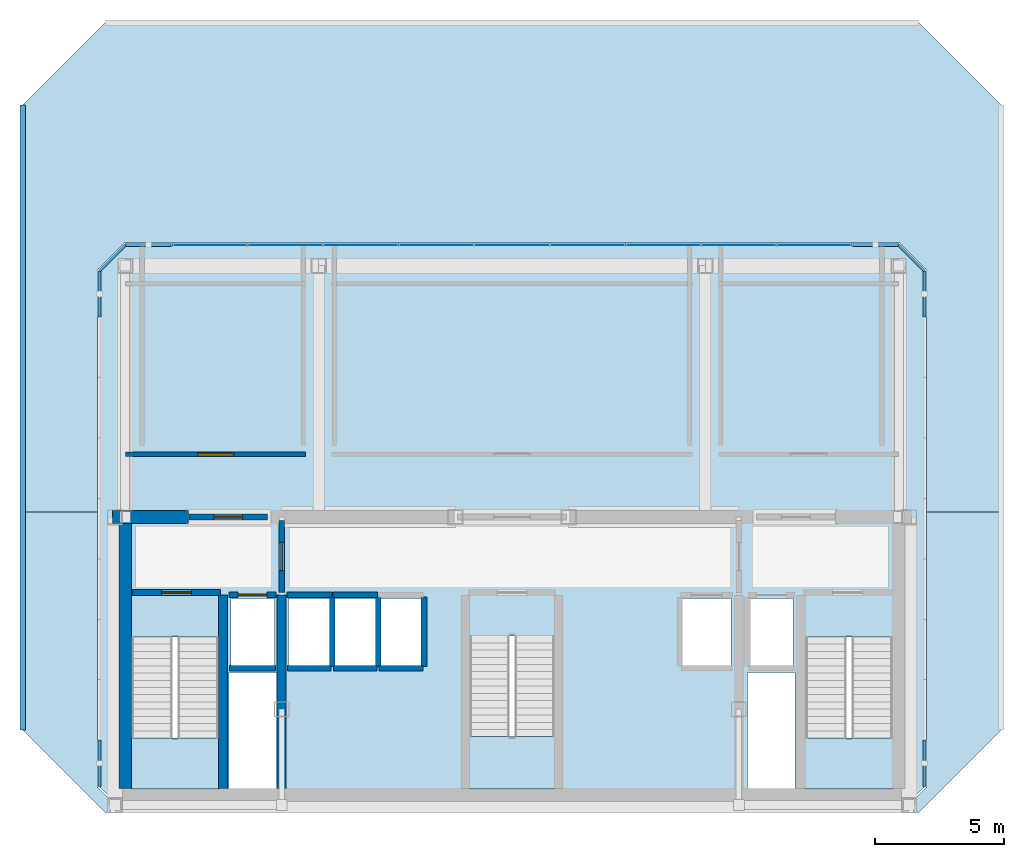
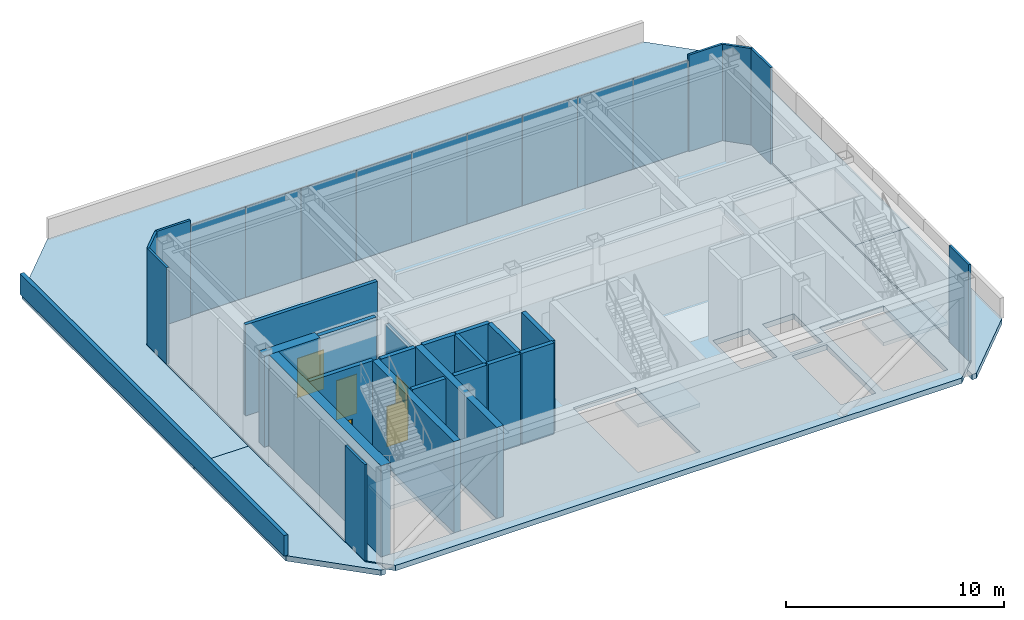
# One storey, part 8 of 11: 19 walls, 17 plates, 7 slabs, 5 doors, 5 openings, 4 elements without a shape of their own.
"""IFC4 building model written with IfcOpenShell, lengths in metres."""

from ifc_helpers import new_model, si_unit, direction, frame, frame_2d, origin, origin_2d, place, context, subcontext, project, spatial, polyline, rectangle, outline, extrude, material, layer, layer_set, type_object, element, fill, aggregate, save


model = new_model("IFC4")

# Units and contexts
model_context = context("Model", 3, precision=1e-05, world=origin(), true_north=direction((0.0, 1.0)))
body_context = subcontext(model_context, "Body", "Model", "MODEL_VIEW")
ifc_project = project(units=[si_unit("LENGTHUNIT", "METRE"), si_unit("AREAUNIT", "SQUARE_METRE"), si_unit("VOLUMEUNIT", "CUBIC_METRE"), si_unit("PLANEANGLEUNIT", "RADIAN"), si_unit("MASSUNIT", "GRAM", prefix="KILO")], contexts=[model_context])

# Site, building, storey
site_placement = place(None, origin())
site = spatial("IfcSite", under=ifc_project, at=site_placement, CompositionType="ELEMENT")
building_placement = place(site_placement, origin())
building = spatial("IfcBuilding", under=site, at=building_placement, Name="Ventersveld Concourse Tower", CompositionType="ELEMENT")
storey_placement = place(building_placement, frame((0.0, 0.0, 366.64990234375)))
storey = spatial("IfcBuildingStorey", under=building, at=storey_placement, Name="L90", CompositionType="ELEMENT", Elevation=366.64990234375)

# Curtain wall, plates
ifc_material_1 = material(Name="Anodised aluminium EN AW-6063-T6", Category="aluminium")
curtain_wall_type = type_object("IfcCurtainWallType", Name="CW-CRN-6", PredefinedType="NOTDEFINED", material=ifc_material_1)
curtain_wall_placement = place(storey_placement, origin())
curtain_wall = element("IfcCurtainWall", 1, at=curtain_wall_placement, inside=storey, type_object=curtain_wall_type, Name="L90 L90 Crown North Glazed Curtain Wall", PredefinedType="NOTDEFINED")
ifc_material_2 = material(Name="Low-E double glazing IGU", Category="glass")
ifc_layer_1 = layer(ifc_material_2, 0.02392578125)
ifc_layer_set_1 = layer_set([ifc_layer_1], Name="Low-E double glazing IGU")
plate_type_1 = type_object("IfcPlateType", Name="CWP-GLZ-24", PredefinedType="CURTAIN_PANEL", material=ifc_layer_set_1)
plate_1_placement = place(storey_placement, frame((40.4833984375, 22.0, 0.02001953125), z_axis=(0.0, 0.0, 1.0), x_axis=(-1.0, 0.0, 0.0)))
plate_1 = element("IfcPlate", 2, at=plate_1_placement, type_object=plate_type_1, Name="CW-L90-N Glazed Panel 01-1", PredefinedType="CURTAIN_PANEL", context=body_context, shape_type="SweptSolid", body=[
    extrude(rectangle(XDim=2.92333984375, YDim=0.02392578125, at=origin_2d()), origin(), (0.0, 0.0, 1.0), 5.06005859375),
])
plate_2_placement = place(storey_placement, frame((37.550048828125, 22.0, 0.02001953125), z_axis=(0.0, 0.0, 1.0), x_axis=(-1.0, 0.0, 0.0)))
plate_2 = element("IfcPlate", 3, at=plate_2_placement, type_object=plate_type_1, Name="CW-L90-N Glazed Panel 02-1", PredefinedType="CURTAIN_PANEL", context=body_context, shape_type="SweptSolid", body=[
    extrude(rectangle(XDim=2.92333984375, YDim=0.02392578125, at=origin_2d()), origin(), (0.0, 0.0, 1.0), 5.06005859375),
])
plate_3_placement = place(storey_placement, frame((34.61669921875, 22.0, 0.02001953125), z_axis=(0.0, 0.0, 1.0), x_axis=(-1.0, 0.0, 0.0)))
plate_3 = element("IfcPlate", 4, at=plate_3_placement, type_object=plate_type_1, Name="CW-L90-N Glazed Panel 03-1", PredefinedType="CURTAIN_PANEL", context=body_context, shape_type="SweptSolid", body=[
    extrude(rectangle(XDim=2.92333984375, YDim=0.02392578125, at=origin_2d()), origin(), (0.0, 0.0, 1.0), 5.06005859375),
])
plate_4_placement = place(storey_placement, frame((31.683349609375, 22.0, 0.02001953125), z_axis=(0.0, 0.0, 1.0), x_axis=(-1.0, 0.0, 0.0)))
plate_4 = element("IfcPlate", 5, at=plate_4_placement, type_object=plate_type_1, Name="CW-L90-N Glazed Panel 04-1", PredefinedType="CURTAIN_PANEL", context=body_context, shape_type="SweptSolid", body=[
    extrude(rectangle(XDim=2.92333984375, YDim=0.02392578125, at=origin_2d()), origin(), (0.0, 0.0, 1.0), 5.06005859375),
])
plate_5_placement = place(storey_placement, frame((28.75, 22.0, 0.02001953125), z_axis=(0.0, 0.0, 1.0), x_axis=(-1.0, 0.0, 0.0)))
plate_5 = element("IfcPlate", 6, at=plate_5_placement, type_object=plate_type_1, Name="CW-L90-N Glazed Panel 05-1", PredefinedType="CURTAIN_PANEL", context=body_context, shape_type="SweptSolid", body=[
    extrude(rectangle(XDim=2.92333984375, YDim=0.02392578125, at=origin_2d()), origin(), (0.0, 0.0, 1.0), 5.06005859375),
])
plate_6_placement = place(storey_placement, frame((25.816650390625, 22.0, 0.02001953125), z_axis=(0.0, 0.0, 1.0), x_axis=(-1.0, 0.0, 0.0)))
plate_6 = element("IfcPlate", 7, at=plate_6_placement, type_object=plate_type_1, Name="CW-L90-N Glazed Panel 06-1", PredefinedType="CURTAIN_PANEL", context=body_context, shape_type="SweptSolid", body=[
    extrude(rectangle(XDim=2.92333984375, YDim=0.02392578125, at=origin_2d()), origin(), (0.0, 0.0, 1.0), 5.06005859375),
])
plate_7_placement = place(storey_placement, frame((22.88330078125, 22.0, 0.02001953125), z_axis=(0.0, 0.0, 1.0), x_axis=(-1.0, 0.0, 0.0)))
plate_7 = element("IfcPlate", 8, at=plate_7_placement, type_object=plate_type_1, Name="CW-L90-N Glazed Panel 07-1", PredefinedType="CURTAIN_PANEL", context=body_context, shape_type="SweptSolid", body=[
    extrude(rectangle(XDim=2.92333984375, YDim=0.02392578125, at=origin_2d()), origin(), (0.0, 0.0, 1.0), 5.06005859375),
])
plate_8_placement = place(storey_placement, frame((19.949951171875, 22.0, 0.02001953125), z_axis=(0.0, 0.0, 1.0), x_axis=(-1.0, 0.0, 0.0)))
plate_8 = element("IfcPlate", 9, at=plate_8_placement, type_object=plate_type_1, Name="CW-L90-N Glazed Panel 08-1", PredefinedType="CURTAIN_PANEL", context=body_context, shape_type="SweptSolid", body=[
    extrude(rectangle(XDim=2.92333984375, YDim=0.02392578125, at=origin_2d()), origin(), (0.0, 0.0, 1.0), 5.06005859375),
])
plate_9_placement = place(storey_placement, frame((17.0166015625, 22.0, 0.02001953125), z_axis=(0.0, 0.0, 1.0), x_axis=(-1.0, 0.0, 0.0)))
plate_9 = element("IfcPlate", 10, at=plate_9_placement, type_object=plate_type_1, Name="CW-L90-N Glazed Panel 09-1", PredefinedType="CURTAIN_PANEL", context=body_context, shape_type="SweptSolid", body=[
    extrude(rectangle(XDim=2.92333984375, YDim=0.02392578125, at=origin_2d()), origin(), (0.0, 0.0, 1.0), 5.06005859375),
])
aggregate(curtain_wall, [plate_1, plate_2, plate_3, plate_4, plate_5, plate_6, plate_7, plate_8, plate_9])

# Plates
ifc_material_3 = material(Name="Precast concrete C45/55", Category="concrete")
ifc_layer_2 = layer(ifc_material_3, 0.1201171875)
ifc_layer_set_2 = layer_set([ifc_layer_2], Name="Precast concrete C45/55")
plate_type_2 = type_object("IfcPlateType", Name="PL-CLAD-120", PredefinedType="SHEET", material=ifc_layer_set_2)
for number, where, z_axis, x_axis, name in (
    (11, (44.75, 1.89990234375, 0.000244140625), (0.0, 0.0, 1.0), (0.0, 1.0, 0.0), "L90 Crown Precast Pier Cladding E3-P1"),
    (12, (44.75, 20.10009765625, 0.000244140625), (0.0, 0.0, 1.0), (0.0, 1.0, 0.0), "L90 Crown Precast Pier Cladding E3-P2"),
):
    element("IfcPlate", number, at=place(storey_placement, frame(where, z_axis=z_axis, x_axis=x_axis)), inside=storey, type_object=plate_type_2, Name=name, PredefinedType="SHEET", context=body_context, shape_type="SweptSolid", body=[
        extrude(rectangle(XDim=1.800048828125, YDim=0.1201171875, at=origin_2d()), origin(), (0.0, 0.0, 1.0), 5.39990234375),
    ])
plate_10_placement = place(storey_placement, frame((44.25, 21.5, 0.000244140625), z_axis=(0.0, 0.0, 1.0), x_axis=(-0.707106781187, 0.707106781187, 0.0)))
element("IfcPlate", 13, at=plate_10_placement, inside=storey, type_object=plate_type_2, Name="L90 Crown Chamfer Precast Cladding Sheet E4", PredefinedType="SHEET", context=body_context, shape_type="SweptSolid", body=[
    extrude(rectangle(XDim=1.414306640625, YDim=0.1201171875, at=origin_2d()), origin(), (0.0, 0.0, 1.0), 5.39990234375),
])
for number, where, z_axis, x_axis, name in (
    (14, (42.85009765625, 22.0, 0.000244140625), (0.0, 0.0, 1.0), (-1.0, 0.0, 0.0), "L90 Crown Precast Pier Cladding E5-P1"),
    (15, (14.64990234375, 22.0, 0.000244140625), (0.0, 0.0, 1.0), (-1.0, 0.0, 0.0), "L90 Crown Precast Pier Cladding E5-P2"),
):
    element("IfcPlate", number, at=place(storey_placement, frame(where, z_axis=z_axis, x_axis=x_axis)), inside=storey, type_object=plate_type_2, Name=name, PredefinedType="SHEET", context=body_context, shape_type="SweptSolid", body=[
        extrude(rectangle(XDim=1.800048828125, YDim=0.1201171875, at=origin_2d()), origin(), (0.0, 0.0, 1.0), 5.39990234375),
    ])
plate_11_placement = place(storey_placement, frame((13.25, 21.5, 0.000244140625), z_axis=(0.0, 0.0, 1.0), x_axis=(-0.707106781187, -0.707106781187, 0.0)))
element("IfcPlate", 16, at=plate_11_placement, inside=storey, type_object=plate_type_2, Name="L90 Crown Chamfer Precast Cladding Sheet E6", PredefinedType="SHEET", context=body_context, shape_type="SweptSolid", body=[
    extrude(rectangle(XDim=1.414306640625, YDim=0.1201171875, at=origin_2d()), origin(), (0.0, 0.0, 1.0), 5.39990234375),
])
for number, where, z_axis, x_axis, name in (
    (17, (12.75, 20.10009765625, 0.000244140625), (0.0, 0.0, 1.0), (0.0, -1.0, 0.0), "L90 Crown Precast Pier Cladding E7-P1"),
    (18, (12.75, 1.89990234375, 0.000244140625), (0.0, 0.0, 1.0), (0.0, -1.0, 0.0), "L90 Crown Precast Pier Cladding E7-P2"),
):
    element("IfcPlate", number, at=place(storey_placement, frame(where, z_axis=z_axis, x_axis=x_axis)), inside=storey, type_object=plate_type_2, Name=name, PredefinedType="SHEET", context=body_context, shape_type="SweptSolid", body=[
        extrude(rectangle(XDim=1.800048828125, YDim=0.1201171875, at=origin_2d()), origin(), (0.0, 0.0, 1.0), 5.39990234375),
    ])

# Slab
ifc_material_4 = material(Name="Concrete C50/60", Category="concrete")
ifc_layer_3 = layer(ifc_material_4, 0.300048828125)
ifc_layer_set_3 = layer_set([ifc_layer_3], Name="Concrete C50/60")
slab_type_1 = type_object("IfcSlabType", Name="SL-FLR-300", PredefinedType="FLOOR", material=ifc_layer_set_3)
slab_1_placement = place(storey_placement, frame((0.0, 0.0, -0.2998046875)))
element("IfcSlab", 19, at=slab_1_placement, inside=storey, type_object=slab_type_1, Name="L90 Composite Floor Slab", PredefinedType="FLOOR", context=body_context, shape_type="SweptSolid", body=[
    extrude(outline(polyline([(13.75, 0.0), (43.75, 0.0), (44.75, 1.0), (44.75, 21.0), (43.75, 22.0), (13.75, 22.0), (12.75, 21.0), (12.75, 1.0), (13.75, 0.0)]), holes=[polyline([(13.97998046875, 6.794921875), (13.97998046875, 0.89990234375), (17.3798828125, 0.89990234375), (17.3798828125, 6.794921875), (13.97998046875, 6.794921875)]), polyline([(40.1201171875, 6.794921875), (40.1201171875, 0.89990234375), (43.52001953125, 0.89990234375), (43.52001953125, 6.794921875), (40.1201171875, 6.794921875)]), polyline([(27.10009765625, 6.844970703125), (27.10009765625, 0.89990234375), (30.39990234375, 0.89990234375), (30.39990234375, 6.844970703125), (27.10009765625, 6.844970703125)]), polyline([(17.85009765625, 5.699951171875), (19.530029296875, 5.699951171875), (19.530029296875, 8.300048828125), (17.85009765625, 8.300048828125), (17.85009765625, 5.699951171875)]), polyline([(37.969970703125, 5.699951171875), (39.64990234375, 5.699951171875), (39.64990234375, 8.300048828125), (37.969970703125, 8.300048828125), (37.969970703125, 5.699951171875)]), polyline([(35.35009765625, 5.699951171875), (37.25, 5.699951171875), (37.25, 8.300048828125), (35.35009765625, 8.300048828125), (35.35009765625, 5.699951171875)]), polyline([(20.090087890625, 5.699951171875), (21.68994140625, 5.699951171875), (21.68994140625, 8.300048828125), (20.090087890625, 8.300048828125), (20.090087890625, 5.699951171875)]), polyline([(21.8701171875, 5.699951171875), (23.469970703125, 5.699951171875), (23.469970703125, 8.300048828125), (21.8701171875, 8.300048828125), (21.8701171875, 5.699951171875)]), polyline([(23.64990234375, 5.699951171875), (25.25, 5.699951171875), (25.25, 8.300048828125), (23.64990234375, 8.300048828125), (23.64990234375, 5.699951171875)]), polyline([(17.780029296875, 0.919921875), (19.6201171875, 0.919921875), (19.6201171875, 5.419921875), (17.780029296875, 5.419921875), (17.780029296875, 0.919921875)]), polyline([(37.8798828125, 0.919921875), (39.719970703125, 0.919921875), (39.719970703125, 5.419921875), (37.8798828125, 5.419921875), (37.8798828125, 0.919921875)])]), origin(), (0.0, 0.0, 1.0), 0.2998046875),
])

# Stair, slab
stair_type_1 = type_object("IfcStairType", Name="ST-DOG-160", PredefinedType="HALF_TURN_STAIR", material=ifc_material_4)
stair_1_placement = place(storey_placement, origin())
stair_1 = element("IfcStair", 20, at=stair_1_placement, inside=storey, type_object=stair_type_1, Name="L90 Protected Tower Escape Stair ST-01", PredefinedType="HALF_TURN_STAIR")
ifc_layer_4 = layer(ifc_material_4, 0.199951171875)
ifc_layer_set_4 = layer_set([ifc_layer_4], Name="Concrete C50/60")
slab_type_2 = type_object("IfcSlabType", Name="SL-LND-200", PredefinedType="LANDING", material=ifc_layer_set_4)
slab_2_placement = place(storey_placement, frame((0.0, 0.0, 2.5)))
slab_2 = element("IfcSlab", 21, at=slab_2_placement, type_object=slab_type_2, Name="ST-01 landing 1", PredefinedType="LANDING", context=body_context, shape_type="SweptSolid", body=[
    extrude(outline(polyline([(13.97998046875, 2.8798828125), (13.97998046875, 0.89990234375), (17.3798828125, 0.89990234375), (17.3798828125, 2.8798828125), (13.97998046875, 2.8798828125)])), origin(), (0.0, 0.0, 1.0), 0.2001953125),
])
aggregate(stair_1, [slab_2])

stair_2_placement = place(storey_placement, origin())
stair_2 = element("IfcStair", 22, at=stair_2_placement, inside=storey, type_object=stair_type_1, Name="L90 Protected Tower Escape Stair ST-02", PredefinedType="HALF_TURN_STAIR")
slab_3_placement = place(storey_placement, frame((0.0, 0.0, 2.5)))
slab_3 = element("IfcSlab", 23, at=slab_3_placement, type_object=slab_type_2, Name="ST-02 landing 1", PredefinedType="LANDING", context=body_context, shape_type="SweptSolid", body=[
    extrude(outline(polyline([(40.1201171875, 2.8798828125), (40.1201171875, 0.89990234375), (43.52001953125, 0.89990234375), (43.52001953125, 2.8798828125), (40.1201171875, 2.8798828125)])), origin(), (0.0, 0.0, 1.0), 0.2001953125),
])
aggregate(stair_2, [slab_3])

stair_type_2 = type_object("IfcStairType", Name="ST-DOG-155", PredefinedType="HALF_TURN_STAIR", material=ifc_material_4)
stair_3_placement = place(storey_placement, origin())
stair_3 = element("IfcStair", 24, at=stair_3_placement, inside=storey, type_object=stair_type_2, Name="L90 Protected Central Core Escape Stair ST-03", PredefinedType="HALF_TURN_STAIR")
slab_4_placement = place(storey_placement, frame((0.0, 0.0, 2.5)))
slab_4 = element("IfcSlab", 25, at=slab_4_placement, type_object=slab_type_2, Name="ST-03 landing 1", PredefinedType="LANDING", context=body_context, shape_type="SweptSolid", body=[
    extrude(outline(polyline([(27.10009765625, 2.929931640625), (27.10009765625, 0.89990234375), (30.39990234375, 0.89990234375), (30.39990234375, 2.929931640625), (27.10009765625, 2.929931640625)])), origin(), (0.0, 0.0, 1.0), 0.2001953125),
])
aggregate(stair_3, [slab_4])

# Slabs
ifc_layer_5 = layer(ifc_material_4, 0.300048828125)
ifc_layer_set_5 = layer_set([ifc_layer_5], Name="Concrete C50/60")
slab_type_3 = type_object("IfcSlabType", Name="SL-ROOF-300", PredefinedType="ROOF", material=ifc_layer_set_5)
slab_5_placement = place(storey_placement, frame((0.0, 0.0, -0.2998046875)))
element("IfcSlab", 26, at=slab_5_placement, inside=storey, type_object=slab_type_3, Name="L90 Maintenance Setback Roof Slab N1", PredefinedType="ROOF", context=body_context, shape_type="SweptSolid", body=[
    extrude(outline(polyline([(9.77490234375, 27.419921875), (12.97509765625, 30.6201171875), (44.52490234375, 30.6201171875), (47.72509765625, 27.419921875), (47.72509765625, 11.64990234375), (44.830078125, 11.64990234375), (44.830078125, 21.0), (44.82958984375, 21.0078125), (44.82861328125, 21.015625), (44.82666015625, 21.023193359375), (44.823974609375, 21.030517578125), (44.820556640625, 21.03759765625), (44.81640625, 21.04443359375), (44.811767578125, 21.05078125), (44.806640625, 21.056640625), (43.806640625, 22.056640625), (43.80078125, 22.061767578125), (43.79443359375, 22.06640625), (43.78759765625, 22.070556640625), (43.780517578125, 22.073974609375), (43.773193359375, 22.07666015625), (43.765625, 22.07861328125), (43.7578125, 22.07958984375), (43.75, 22.080078125), (13.75, 22.080078125), (13.7421875, 22.07958984375), (13.734375, 22.07861328125), (13.726806640625, 22.07666015625), (13.719482421875, 22.073974609375), (13.71240234375, 22.070556640625), (13.70556640625, 22.06640625), (13.69921875, 22.061767578125), (13.693359375, 22.056640625), (12.693359375, 21.056640625), (12.688232421875, 21.05078125), (12.68359375, 21.04443359375), (12.679443359375, 21.03759765625), (12.676025390625, 21.030517578125), (12.67333984375, 21.023193359375), (12.67138671875, 21.015625), (12.67041015625, 21.0078125), (12.669921875, 21.0), (12.669921875, 11.64990234375), (9.77490234375, 11.64990234375), (9.77490234375, 27.419921875)])), origin(), (0.0, 0.0, 1.0), 0.2998046875),
])
slab_6_placement = place(storey_placement, frame((0.0, 0.0, -0.2998046875)))
element("IfcSlab", 27, at=slab_6_placement, inside=storey, type_object=slab_type_3, Name="L90 Maintenance Setback Roof Slab W2", PredefinedType="ROOF", context=body_context, shape_type="SweptSolid", body=[
    extrude(outline(polyline([(9.77490234375, 3.199951171875), (9.77490234375, 11.64990234375), (12.669921875, 11.64990234375), (12.669921875, 1.0), (12.67041015625, 0.9921875), (12.67138671875, 0.984375), (12.67333984375, 0.976806640625), (12.676025390625, 0.969482421875), (12.679443359375, 0.96240234375), (12.68359375, 0.95556640625), (12.688232421875, 0.94921875), (12.693359375, 0.943359375), (13.199951171875, 0.43701171875), (13.199951171875, 0.0), (12.97509765625, 0.0), (9.77490234375, 3.199951171875)])), origin(), (0.0, 0.0, 1.0), 0.2998046875),
])
slab_7_placement = place(storey_placement, frame((0.0, 0.0, -0.2998046875)))
element("IfcSlab", 28, at=slab_7_placement, inside=storey, type_object=slab_type_3, Name="L90 Maintenance Setback Roof Slab E3", PredefinedType="ROOF", context=body_context, shape_type="SweptSolid", body=[
    extrude(outline(polyline([(47.72509765625, 3.199951171875), (44.52490234375, 0.0), (44.300048828125, 0.0), (44.300048828125, 0.43701171875), (44.806640625, 0.943359375), (44.811767578125, 0.94921875), (44.81640625, 0.95556640625), (44.820556640625, 0.96240234375), (44.823974609375, 0.969482421875), (44.82666015625, 0.976806640625), (44.82861328125, 0.984375), (44.82958984375, 0.9921875), (44.830078125, 1.0), (44.830078125, 11.64990234375), (47.72509765625, 11.64990234375), (47.72509765625, 3.199951171875)])), origin(), (0.0, 0.0, 1.0), 0.2998046875),
])

# Walls
ifc_layer_6 = layer(ifc_material_4, 0.35009765625)
ifc_layer_set_6 = layer_set([ifc_layer_6], Name="Concrete C50/60")
wall_type_1 = type_object("IfcWallType", Name="WL-CORE-350U", PredefinedType="SHEAR", material=ifc_layer_set_6)
for number, where, z_axis, x_axis, name in (
    (29, (17.5400390625, 0.919921875, 0.0), (0.0, 0.0, 1.0), (0.0, 1.0, 0.0), "L90 Core Internal Shear Web W-ST1-E"),
    (30, (19.820068359375, 0.919921875, 0.0), (0.0, 0.0, 1.0), (0.0, 1.0, 0.0), "L90 Core Internal Shear Web W-FF1-E"),
):
    element("IfcWall", number, at=place(storey_placement, frame(where, z_axis=z_axis, x_axis=x_axis)), inside=storey, type_object=wall_type_1, Name=name, PredefinedType="SHEAR", context=body_context, shape_type="SweptSolid", body=[
        extrude(rectangle(XDim=7.5, YDim=0.35009765625, at=frame_2d((3.75, 0.0))), origin(), (0.0, 0.0, 1.0), 5.10009765625),
    ])
ifc_layer_7 = layer(ifc_material_4, 0.5)
ifc_layer_set_7 = layer_set([ifc_layer_7], Name="Concrete C50/60")
wall_type_2 = type_object("IfcWallType", Name="WL-CORE-500", PredefinedType="SHEAR", material=ifc_layer_set_7)
wall_1_placement = place(storey_placement, frame((13.75, 0.919921875, 0.0), z_axis=(0.0, 0.0, 1.0), x_axis=(0.0, 1.0, 0.0)))
element("IfcWall", 31, at=wall_1_placement, inside=storey, type_object=wall_type_2, Name="L90 Rear Core West Shear Wall", PredefinedType="SHEAR", context=body_context, shape_type="SweptSolid", body=[
    extrude(rectangle(XDim=10.530029296875, YDim=0.5, at=frame_2d((5.26513671875, 0.0))), origin(), (0.0, 0.0, 1.0), 5.10009765625),
])
wall_2_placement = place(storey_placement, frame((13.25, 11.449951171875, 0.0), z_axis=(0.0, 0.0, 1.0), x_axis=(1.0, 0.0, 0.0)))
element("IfcWall", 32, at=wall_2_placement, inside=storey, type_object=wall_type_2, Name="L90 Rear Core North Shear Wall NW", PredefinedType="SHEAR", context=body_context, shape_type="SweptSolid", body=[
    extrude(rectangle(XDim=2.949951171875, YDim=0.5, at=frame_2d((1.47509765625, 0.0))), origin(), (0.0, 0.0, 1.0), 5.10009765625),
])

# Wall, opening, door
ifc_material_5 = material(Name="Fire-rated autoclaved aerated masonry blockwork", Category="masonry")
ifc_layer_8 = layer(ifc_material_5, 0.179931640625)
ifc_layer_set_8 = layer_set([ifc_layer_8], Name="Fire-rated autoclaved aerated masonry blockwork")
wall_type_3 = type_object("IfcWallType", Name="WL-CORR-180", PredefinedType="PARTITIONING", material=ifc_layer_set_8)
wall_3_placement = place(storey_placement, frame((13.76806640625, 13.889892578125, 0.0), z_axis=(0.0, 0.0, 1.0), x_axis=(1.0, 0.0, 0.0)))
wall_3 = element("IfcWall", 33, at=wall_3_placement, inside=storey, type_object=wall_type_3, Name="L90 Interior Partition SP-L90-PCOR-SP-L90-CHL", PredefinedType="PARTITIONING", context=body_context, shape_type="SweptSolid", body=[
    extrude(rectangle(XDim=6.97705078125, YDim=0.179931640625, at=frame_2d((3.488525390625, 0.0))), origin(), (0.0, 0.0, 1.0), 5.10009765625),
])
opening_1_placement = place(wall_3_placement, frame((2.78857421875, 0.0, 0.0)))
opening_1 = element("IfcOpeningElement", 34, at=opening_1_placement, cuts=wall_3, Name="Opening FD4", PredefinedType="OPENING", context=body_context, shape_type="SweptSolid", body=[
    extrude(rectangle(XDim=1.39990234375, YDim=2.199951171875, at=frame_2d((0.699951171875, 1.10009765625))), frame((0.0, 0.10009765625, 0.0), z_axis=(0.0, -1.0, 0.0), x_axis=(1.0, 0.0, 0.0)), (0.0, 0.0, 1.0), 0.199951171875),
])
ifc_material_6 = material(Name="Galvanised painted steel", Category="steel")
door_type_1 = type_object("IfcDoorType", Name="DR-PLANT-140", OperationType="DOUBLE_DOOR_SINGLE_SWING", PredefinedType="DOOR", material=ifc_material_6)
door_1_placement = place(opening_1_placement, origin())
door_1 = element("IfcDoor", 35, at=door_1_placement, inside=storey, type_object=door_type_1, Name="L90 Interior Door SP-L90-PCOR to SP-L90-CHL (FD-L90-3967)", OperationType="DOUBLE_DOOR_SINGLE_SWING", OverallHeight=2.199951171875, OverallWidth=1.39990234375, PredefinedType="DOOR", context=body_context, shape_type="SweptSolid", body=[
    extrude(rectangle(XDim=1.39990234375, YDim=2.199951171875, at=frame_2d((0.699951171875, 1.10009765625))), frame((0.0, 0.02490234375, 0.0), z_axis=(0.0, -1.0, 0.0), x_axis=(1.0, 0.0, 0.0)), (0.0, 0.0, 1.0), 0.050048828125),
])
fill(opening_1, door_1)

# Wall
ifc_layer_9 = layer(ifc_material_5, 0.219970703125)
ifc_layer_set_9 = layer_set([ifc_layer_9], Name="Fire-rated autoclaved aerated masonry blockwork")
wall_type_4 = type_object("IfcWallType", Name="WL-HOIST-220", PredefinedType="SOLIDWALL", material=ifc_layer_set_9)
wall_4_placement = place(storey_placement, frame((17.800048828125, 5.590087890625, 0.0), z_axis=(0.0, 0.0, 1.0), x_axis=(1.0, 0.0, 0.0)))
element("IfcWall", 36, at=wall_4_placement, inside=storey, type_object=wall_type_4, Name="L90 Lift Hoistway Back Wall FFL-01", PredefinedType="SOLIDWALL", context=body_context, shape_type="SweptSolid", body=[
    extrude(rectangle(XDim=1.780029296875, YDim=0.219970703125, at=frame_2d((0.89013671875, 0.0))), origin(), (0.0, 0.0, 1.0), 5.10009765625),
])

# Wall, opening, door
wall_5_placement = place(storey_placement, frame((17.780029296875, 8.429931640625, 0.0), z_axis=(0.0, 0.0, 1.0), x_axis=(1.0, 0.0, 0.0)))
wall_5 = element("IfcWall", 37, at=wall_5_placement, inside=storey, type_object=wall_type_4, Name="L90 Lift Hoistway Front Wall FFL-01", PredefinedType="SOLIDWALL", context=body_context, shape_type="SweptSolid", body=[
    extrude(rectangle(XDim=1.820068359375, YDim=0.219970703125, at=frame_2d((0.91015625, 0.0))), origin(), (0.0, 0.0, 1.0), 5.10009765625),
])
opening_2_placement = place(wall_5_placement, frame((0.35009765625, 0.0, 0.0)))
opening_2 = element("IfcOpeningElement", 38, at=opening_2_placement, cuts=wall_5, Name="Opening LD1", PredefinedType="OPENING", context=body_context, shape_type="SweptSolid", body=[
    extrude(rectangle(XDim=1.1201171875, YDim=2.25, at=frame_2d((0.56005859375, 1.125))), frame((0.0, 0.1201171875, 0.0), z_axis=(0.0, -1.0, 0.0), x_axis=(1.0, 0.0, 0.0)), (0.0, 0.0, 1.0), 0.239990234375),
])
ifc_material_7 = material(Name="Brushed stainless steel 316", Category="steel")
door_type_2 = type_object("IfcDoorType", Name="LD-FF-112", OperationType="SLIDING_TO_LEFT", PredefinedType="DOOR", material=ifc_material_7)
door_2_placement = place(opening_2_placement, origin())
door_2 = element("IfcDoor", 39, at=door_2_placement, inside=storey, type_object=door_type_2, Name="L90 Lift landing door FFL-01 (LD-L90-FFL-01)", OperationType="SLIDING_TO_RIGHT", OverallHeight=2.25, OverallWidth=1.1201171875, PredefinedType="DOOR", context=body_context, shape_type="SweptSolid", body=[
    extrude(rectangle(XDim=1.1201171875, YDim=2.25, at=frame_2d((0.56005859375, 1.125))), frame((0.0, 0.02490234375, 0.0), z_axis=(0.0, -1.0, 0.0), x_axis=(1.0, 0.0, 0.0)), (0.0, 0.0, 1.0), 0.050048828125),
])
fill(opening_2, door_2)

# Walls
wall_6_placement = place(storey_placement, frame((20.0400390625, 5.590087890625, 0.0), z_axis=(0.0, 0.0, 1.0), x_axis=(1.0, 0.0, 0.0)))
element("IfcWall", 40, at=wall_6_placement, inside=storey, type_object=wall_type_4, Name="L90 Lift Hoistway Back Wall PH-01", PredefinedType="SOLIDWALL", context=body_context, shape_type="SweptSolid", body=[
    extrude(rectangle(XDim=1.699951171875, YDim=0.219970703125, at=frame_2d((0.85009765625, 0.0))), origin(), (0.0, 0.0, 1.0), 5.10009765625),
])
wall_7_placement = place(storey_placement, frame((21.780029296875, 5.64990234375, 0.0), z_axis=(0.0, 0.0, 1.0), x_axis=(0.0, 1.0, 0.0)))
element("IfcWall", 41, at=wall_7_placement, inside=storey, type_object=wall_type_4, Name="L90 Lift Hoistway Side Wall PH-01E", PredefinedType="SOLIDWALL", context=body_context, shape_type="SweptSolid", body=[
    extrude(rectangle(XDim=2.7001953125, YDim=0.219970703125, at=frame_2d((1.35009765625, 0.0))), origin(), (0.0, 0.0, 1.0), 5.10009765625),
])
wall_8_placement = place(storey_placement, frame((20.02001953125, 8.429931640625, 0.0), z_axis=(0.0, 0.0, 1.0), x_axis=(1.0, 0.0, 0.0)))
element("IfcWall", 42, at=wall_8_placement, inside=storey, type_object=wall_type_4, Name="L90 Lift Hoistway Front Wall PH-01", PredefinedType="SOLIDWALL", context=body_context, shape_type="SweptSolid", body=[
    extrude(rectangle(XDim=1.739990234375, YDim=0.219970703125, at=frame_2d((0.8701171875, 0.0))), origin(), (0.0, 0.0, 1.0), 5.10009765625),
])
wall_9_placement = place(storey_placement, frame((21.820068359375, 5.590087890625, 0.0), z_axis=(0.0, 0.0, 1.0), x_axis=(1.0, 0.0, 0.0)))
element("IfcWall", 43, at=wall_9_placement, inside=storey, type_object=wall_type_4, Name="L90 Lift Hoistway Back Wall PH-02", PredefinedType="SOLIDWALL", context=body_context, shape_type="SweptSolid", body=[
    extrude(rectangle(XDim=1.699951171875, YDim=0.219970703125, at=frame_2d((0.85009765625, 0.0))), origin(), (0.0, 0.0, 1.0), 5.10009765625),
])
wall_10_placement = place(storey_placement, frame((23.56005859375, 5.64990234375, 0.0), z_axis=(0.0, 0.0, 1.0), x_axis=(0.0, 1.0, 0.0)))
element("IfcWall", 44, at=wall_10_placement, inside=storey, type_object=wall_type_4, Name="L90 Lift Hoistway Side Wall PH-02E", PredefinedType="SOLIDWALL", context=body_context, shape_type="SweptSolid", body=[
    extrude(rectangle(XDim=2.7001953125, YDim=0.219970703125, at=frame_2d((1.35009765625, 0.0))), origin(), (0.0, 0.0, 1.0), 5.10009765625),
])
wall_11_placement = place(storey_placement, frame((21.800048828125, 8.429931640625, 0.0), z_axis=(0.0, 0.0, 1.0), x_axis=(1.0, 0.0, 0.0)))
element("IfcWall", 45, at=wall_11_placement, inside=storey, type_object=wall_type_4, Name="L90 Lift Hoistway Front Wall PH-02", PredefinedType="SOLIDWALL", context=body_context, shape_type="SweptSolid", body=[
    extrude(rectangle(XDim=1.739990234375, YDim=0.219970703125, at=frame_2d((0.8701171875, 0.0))), origin(), (0.0, 0.0, 1.0), 5.10009765625),
])
wall_12_placement = place(storey_placement, frame((23.60009765625, 5.590087890625, 0.0), z_axis=(0.0, 0.0, 1.0), x_axis=(1.0, 0.0, 0.0)))
element("IfcWall", 46, at=wall_12_placement, inside=storey, type_object=wall_type_4, Name="L90 Lift Hoistway Back Wall PH-03", PredefinedType="SOLIDWALL", context=body_context, shape_type="SweptSolid", body=[
    extrude(rectangle(XDim=1.699951171875, YDim=0.219970703125, at=frame_2d((0.85009765625, 0.0))), origin(), (0.0, 0.0, 1.0), 5.10009765625),
])
wall_13_placement = place(storey_placement, frame((25.340087890625, 5.64990234375, 0.0), z_axis=(0.0, 0.0, 1.0), x_axis=(0.0, 1.0, 0.0)))
element("IfcWall", 47, at=wall_13_placement, inside=storey, type_object=wall_type_4, Name="L90 Lift Hoistway Side Wall PH-03E", PredefinedType="SOLIDWALL", context=body_context, shape_type="SweptSolid", body=[
    extrude(rectangle(XDim=2.7001953125, YDim=0.219970703125, at=frame_2d((1.35009765625, 0.0))), origin(), (0.0, 0.0, 1.0), 5.10009765625),
])

# Wall, opening, door
wall_14_placement = place(storey_placement, frame((14.0400390625, 8.52001953125, 0.0), z_axis=(0.0, 0.0, 1.0), x_axis=(1.0, 0.0, 0.0)))
wall_14 = element("IfcWall", 48, at=wall_14_placement, inside=storey, type_object=wall_type_4, Name="L90 Escape Stair ST01 Fire Wall", PredefinedType="SOLIDWALL", context=body_context, shape_type="SweptSolid", body=[
    extrude(rectangle(XDim=3.39990234375, YDim=0.219970703125, at=frame_2d((1.699951171875, 0.0))), origin(), (0.0, 0.0, 1.0), 5.10009765625),
])
opening_3_placement = place(wall_14_placement, frame((1.125, 0.0, 0.0)))
opening_3 = element("IfcOpeningElement", 49, at=opening_3_placement, cuts=wall_14, Name="Opening FD1", PredefinedType="OPENING", context=body_context, shape_type="SweptSolid", body=[
    extrude(rectangle(XDim=1.14990234375, YDim=2.199951171875, at=frame_2d((0.574951171875, 1.10009765625))), frame((0.0, 0.1201171875, 0.0), z_axis=(0.0, -1.0, 0.0), x_axis=(1.0, 0.0, 0.0)), (0.0, 0.0, 1.0), 0.239990234375),
])
door_type_3 = type_object("IfcDoorType", Name="DR-STAIR-115", OperationType="NOTDEFINED", PredefinedType="DOOR", material=ifc_material_6)
door_3_placement = place(opening_3_placement, origin())
door_3 = element("IfcDoor", 50, at=door_3_placement, inside=storey, type_object=door_type_3, Name="L90 Escape Stair Door ST01 (SD-L90-3959)", OperationType="SINGLE_SWING_LEFT", OverallHeight=2.199951171875, OverallWidth=1.14990234375, PredefinedType="DOOR", context=body_context, shape_type="SweptSolid", body=[
    extrude(rectangle(XDim=1.14990234375, YDim=2.199951171875, at=frame_2d((0.574951171875, 1.10009765625))), frame((0.0, 0.02490234375, 0.0), z_axis=(0.0, -1.0, 0.0), x_axis=(1.0, 0.0, 0.0)), (0.0, 0.0, 1.0), 0.050048828125),
])
fill(opening_3, door_3)

wall_15_placement = place(storey_placement, frame((19.820068359375, 8.52001953125, 0.0), z_axis=(0.0, 0.0, 1.0), x_axis=(0.0, 1.0, 0.0)))
wall_15 = element("IfcWall", 51, at=wall_15_placement, inside=storey, type_object=wall_type_4, Name="L90 Firefighting Lobby Smoke-Stop Wall FFLW-SEP", PredefinedType="SOLIDWALL", context=body_context, shape_type="SweptSolid", body=[
    extrude(rectangle(XDim=2.800048828125, YDim=0.219970703125, at=frame_2d((1.39990234375, 0.0))), origin(), (0.0, 0.0, 1.0), 4.5556640625),
])
opening_4_placement = place(wall_15_placement, frame((0.85009765625, 0.0, 0.0)))
opening_4 = element("IfcOpeningElement", 52, at=opening_4_placement, cuts=wall_15, Name="Opening FD2", PredefinedType="OPENING", context=body_context, shape_type="SweptSolid", body=[
    extrude(rectangle(XDim=1.10009765625, YDim=2.199951171875, at=frame_2d((0.550048828125, 1.10009765625))), frame((0.0, 0.1201171875, 0.0), z_axis=(0.0, -1.0, 0.0), x_axis=(1.0, 0.0, 0.0)), (0.0, 0.0, 1.0), 0.239990234375),
])
door_type_4 = type_object("IfcDoorType", Name="DR-FFL-110", OperationType="NOTDEFINED", PredefinedType="DOOR", material=ifc_material_6)
door_4_placement = place(opening_4_placement, origin())
door_4 = element("IfcDoor", 53, at=door_4_placement, inside=storey, type_object=door_type_4, Name="L90 Firefighting Lobby Door FFLW-SEP (FD-L90-3962)", OperationType="SINGLE_SWING_LEFT", OverallHeight=2.199951171875, OverallWidth=1.10009765625, PredefinedType="DOOR", context=body_context, shape_type="SweptSolid", body=[
    extrude(rectangle(XDim=1.10009765625, YDim=2.199951171875, at=frame_2d((0.550048828125, 1.10009765625))), frame((0.0, 0.02490234375, 0.0), z_axis=(0.0, -1.0, 0.0), x_axis=(1.0, 0.0, 0.0)), (0.0, 0.0, 1.0), 0.050048828125),
])
fill(opening_4, door_4)

wall_16_placement = place(storey_placement, frame((16.22998046875, 11.449951171875, 0.0), z_axis=(0.0, 0.0, 1.0), x_axis=(1.0, 0.0, 0.0)))
wall_16 = element("IfcWall", 54, at=wall_16_placement, inside=storey, type_object=wall_type_4, Name="L90 Core North Fire Portal FFLW-OUT", PredefinedType="SOLIDWALL", context=body_context, shape_type="SweptSolid", body=[
    extrude(rectangle(XDim=3.0400390625, YDim=0.219970703125, at=frame_2d((1.52001953125, 0.0))), origin(), (0.0, 0.0, 1.0), 5.10009765625),
])
opening_5_placement = place(wall_16_placement, frame((0.969970703125, 0.0, 0.0)))
opening_5 = element("IfcOpeningElement", 55, at=opening_5_placement, cuts=wall_16, Name="Opening FD2", PredefinedType="OPENING", context=body_context, shape_type="SweptSolid", body=[
    extrude(rectangle(XDim=1.10009765625, YDim=2.199951171875, at=frame_2d((0.550048828125, 1.10009765625))), frame((0.0, 0.1201171875, 0.0), z_axis=(0.0, -1.0, 0.0), x_axis=(1.0, 0.0, 0.0)), (0.0, 0.0, 1.0), 0.239990234375),
])
door_5_placement = place(opening_5_placement, origin())
door_5 = element("IfcDoor", 56, at=door_5_placement, inside=storey, type_object=door_type_4, Name="L90 Core Lobby Fire Door FFLW-OUT (FD-L90-3964)", OperationType="SINGLE_SWING_RIGHT", OverallHeight=2.199951171875, OverallWidth=1.10009765625, PredefinedType="DOOR", context=body_context, shape_type="SweptSolid", body=[
    extrude(rectangle(XDim=1.10009765625, YDim=2.199951171875, at=frame_2d((0.550048828125, 1.10009765625))), frame((0.0, 0.02490234375, 0.0), z_axis=(0.0, -1.0, 0.0), x_axis=(1.0, 0.0, 0.0)), (0.0, 0.0, 1.0), 0.050048828125),
])
fill(opening_5, door_5)

# Wall
ifc_layer_10 = layer(ifc_material_3, 0.2099609375)
ifc_layer_set_10 = layer_set([ifc_layer_10], Name="Precast concrete C45/55")
wall_type_5 = type_object("IfcWallType", Name="WL-PARA-210", PredefinedType="PARAPET", material=ifc_layer_set_10)
wall_17_placement = place(storey_placement, frame((9.77490234375, 27.419921875, 0.0), z_axis=(0.0, 0.0, 1.0), x_axis=(0.0, -1.0, 0.0)))
element("IfcWall", 57, at=wall_17_placement, inside=storey, type_object=wall_type_5, Name="L90 Setback Roof Parapet Wall 4", PredefinedType="PARAPET", context=body_context, shape_type="SweptSolid", body=[
    extrude(rectangle(XDim=24.219970703125, YDim=0.2099609375, at=frame_2d((12.10986328125, 0.0))), origin(), (0.0, 0.0, 1.0), 1.150146484375),
])

save(model, "model.ifc")
